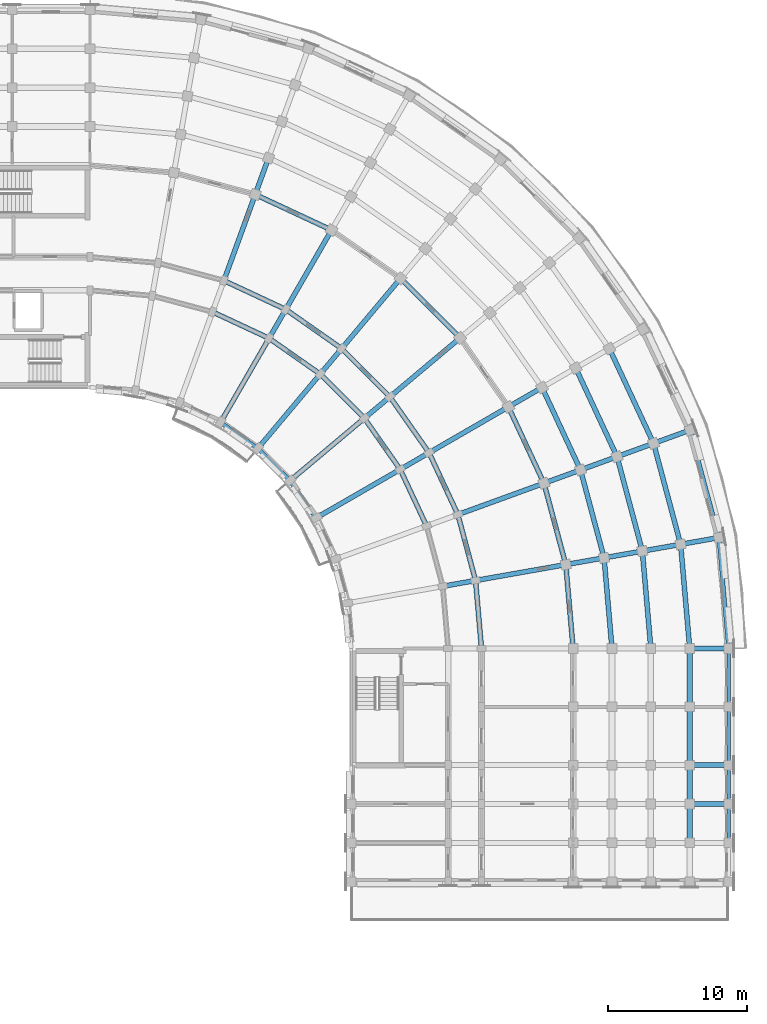
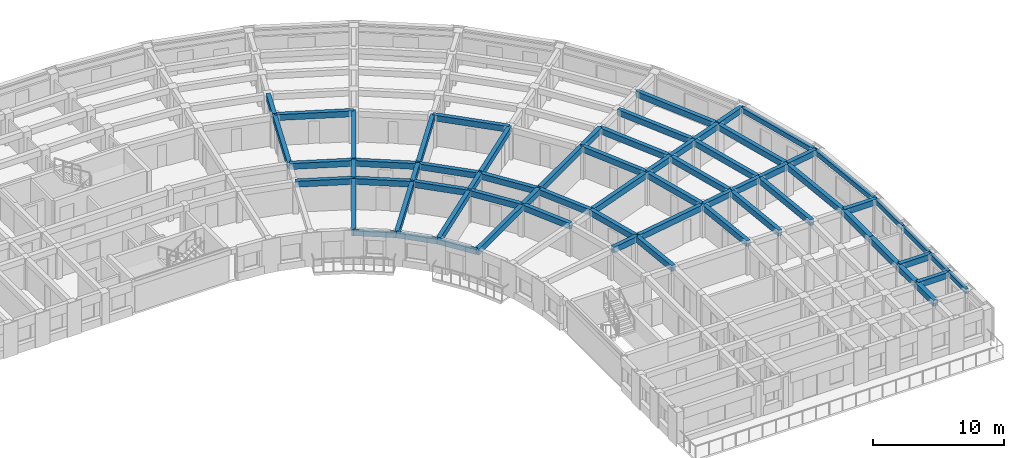
# One storey, part 12 of 54: 68 beams.
"""IFC4 building model written with IfcOpenShell, lengths in metres."""

from ifc_helpers import new_model, si_unit, direction, frame, origin, origin_2d, place, context, subcontext, project, spatial, rectangle, extrude, material, material_profile, profile_set, type_object, element, save


model = new_model("IFC4")

# Units and contexts
model_context = context("Model", 3, precision=1e-05, world=origin(), true_north=direction((0.0, 1.0)))
body_context = subcontext(model_context, "Body", "Model", "MODEL_VIEW")
ifc_project = project(units=[si_unit("LENGTHUNIT", "METRE"), si_unit("AREAUNIT", "SQUARE_METRE"), si_unit("VOLUMEUNIT", "CUBIC_METRE"), si_unit("PLANEANGLEUNIT", "RADIAN"), si_unit("MASSUNIT", "GRAM", prefix="KILO")], contexts=[model_context])

# Site, building, storey
site_placement = place(None, origin())
site = spatial("IfcSite", under=ifc_project, at=site_placement, CompositionType="ELEMENT")
building_placement = place(site_placement, origin())
building = spatial("IfcBuilding", under=site, at=building_placement, Name="Kiranvali Square Residences", CompositionType="ELEMENT")
storey_placement = place(building_placement, frame((0.0, 0.0, 27.60009765625)))
storey = spatial("IfcBuildingStorey", under=building, at=storey_placement, Name="L08", CompositionType="ELEMENT", Elevation=27.60009765625)

# Beams
ifc_material_1 = material(Name="Concrete M40 (40 MPa)", Category="concrete")
ifc_material_profile_1 = material_profile(ifc_material_1, rectangle(XDim=0.35009765625, YDim=0.550048828125, at=origin_2d()), Name="RC 350x550")
ifc_profile_set_1 = profile_set([ifc_material_profile_1], Name="Concrete M40 (40 MPa)")
beam_type_1 = type_object("IfcBeamType", Name="BM-M40-350x550", PredefinedType="BEAM", material=ifc_profile_set_1)
beam_1_placement = place(storey_placement, frame((128.6240234375, 112.044189453125, 2.65478515625), z_axis=(0.906307919131, -0.422617978463, 0.0), x_axis=(0.422617978463, 0.906307919131, 0.0)))
element("IfcBeam", 1, at=beam_1_placement, inside=storey, type_object=beam_type_1, Name="L08 beam BM-B-L08-C02-R1", PredefinedType="BEAM", context=body_context, shape_type="SweptSolid", body=[
    extrude(rectangle(XDim=0.35009765625, YDim=0.550048828125, at=origin_2d()), origin(), (0.0, 0.0, 1.0), 4.497314453125),
])
beam_2_placement = place(storey_placement, frame((129.445068359375, 114.29931640625, 2.65478515625), z_axis=(0.906302381024, -0.422629854778, 0.0), x_axis=(0.422629854778, 0.906302381024, 0.0)))
element("IfcBeam", 2, at=beam_2_placement, inside=storey, type_object=beam_type_1, Name="L08 beam BM-B-L08-C02-R2", PredefinedType="BEAM", context=body_context, shape_type="SweptSolid", body=[
    extrude(rectangle(XDim=0.35009765625, YDim=0.550048828125, at=origin_2d()), origin(), (0.0, 0.0, 1.0), 4.915283203125),
])
beam_3_placement = place(storey_placement, frame((131.702392578125, 120.501220703125, 2.65478515625), z_axis=(0.906312656069, -0.42260781991, 0.0), x_axis=(0.42260781991, 0.906312656069, 0.0)))
element("IfcBeam", 3, at=beam_3_placement, inside=storey, type_object=beam_type_1, Name="L08 beam BM-B-L08-C02-R3", PredefinedType="BEAM", context=body_context, shape_type="SweptSolid", body=[
    extrude(rectangle(XDim=0.35009765625, YDim=0.550048828125, at=origin_2d()), origin(), (0.0, 0.0, 1.0), 6.06591796875),
])
beam_4_placement = place(storey_placement, frame((132.699951171875, 110.1435546875, 2.65478515625), z_axis=(0.819155404658, -0.573571637217, 0.0), x_axis=(0.573571637217, 0.819155404658, 0.0)))
element("IfcBeam", 4, at=beam_4_placement, inside=storey, type_object=beam_type_1, Name="L08 beam BM-B-L08-C03-R1", PredefinedType="BEAM", context=body_context, shape_type="SweptSolid", body=[
    extrude(rectangle(XDim=0.35009765625, YDim=0.550048828125, at=origin_2d()), origin(), (0.0, 0.0, 1.0), 4.497314453125),
])
beam_5_placement = place(storey_placement, frame((133.89990234375, 112.221923828125, 2.65478515625), z_axis=(0.819140911474, -0.573592335331, 0.0), x_axis=(0.573592335331, 0.819140911474, 0.0)))
element("IfcBeam", 5, at=beam_5_placement, inside=storey, type_object=beam_type_1, Name="L08 beam BM-B-L08-C03-R2", PredefinedType="BEAM", context=body_context, shape_type="SweptSolid", body=[
    extrude(rectangle(XDim=0.35009765625, YDim=0.550048828125, at=origin_2d()), origin(), (0.0, 0.0, 1.0), 4.915771484375),
])
beam_6_placement = place(storey_placement, frame((136.384033203125, 107.56396484375, 2.65478515625), z_axis=(0.707106781187, -0.707106781187, 0.0), x_axis=(0.707106781187, 0.707106781187, 0.0)))
element("IfcBeam", 6, at=beam_6_placement, inside=storey, type_object=beam_type_1, Name="L08 beam BM-B-L08-C04-R1", PredefinedType="BEAM", context=body_context, shape_type="SweptSolid", body=[
    extrude(rectangle(XDim=0.35009765625, YDim=0.550048828125, at=origin_2d()), origin(), (0.0, 0.0, 1.0), 4.4970703125),
])
beam_7_placement = place(storey_placement, frame((137.926513671875, 109.40234375, 2.65478515625), z_axis=(0.707106781187, -0.707106781187, 0.0), x_axis=(0.707106781187, 0.707106781187, 0.0)))
element("IfcBeam", 7, at=beam_7_placement, inside=storey, type_object=beam_type_1, Name="L08 beam BM-B-L08-C04-R2", PredefinedType="BEAM", context=body_context, shape_type="SweptSolid", body=[
    extrude(rectangle(XDim=0.35009765625, YDim=0.550048828125, at=origin_2d()), origin(), (0.0, 0.0, 1.0), 4.91552734375),
])
beam_8_placement = place(storey_placement, frame((142.1689453125, 114.458251953125, 2.65478515625), z_axis=(0.707106781187, -0.707106781187, 0.0), x_axis=(0.707106781187, 0.707106781187, 0.0)))
element("IfcBeam", 8, at=beam_8_placement, inside=storey, type_object=beam_type_1, Name="L08 beam BM-B-L08-C04-R3", PredefinedType="BEAM", context=body_context, shape_type="SweptSolid", body=[
    extrude(rectangle(XDim=0.35009765625, YDim=0.550048828125, at=origin_2d()), origin(), (0.0, 0.0, 1.0), 6.06591796875),
])
beam_9_placement = place(storey_placement, frame((139.56396484375, 104.384033203125, 2.65478515625), z_axis=(0.573571637217, -0.819155404658, 0.0), x_axis=(0.819155404658, 0.573571637217, 0.0)))
element("IfcBeam", 9, at=beam_9_placement, inside=storey, type_object=beam_type_1, Name="L08 beam BM-B-L08-C05-R1", PredefinedType="BEAM", context=body_context, shape_type="SweptSolid", body=[
    extrude(rectangle(XDim=0.35009765625, YDim=0.550048828125, at=origin_2d()), origin(), (0.0, 0.0, 1.0), 4.497314453125),
])
beam_10_placement = place(storey_placement, frame((141.40234375, 105.926513671875, 2.65478515625), z_axis=(0.573592335331, -0.819140911474, 0.0), x_axis=(0.819140911474, 0.573592335331, 0.0)))
element("IfcBeam", 10, at=beam_10_placement, inside=storey, type_object=beam_type_1, Name="L08 beam BM-B-L08-C05-R2", PredefinedType="BEAM", context=body_context, shape_type="SweptSolid", body=[
    extrude(rectangle(XDim=0.35009765625, YDim=0.550048828125, at=origin_2d()), origin(), (0.0, 0.0, 1.0), 4.915771484375),
])
beam_11_placement = place(storey_placement, frame((142.1435546875, 100.699951171875, 2.65478515625), z_axis=(0.422617978463, -0.906307919131, 0.0), x_axis=(0.906307919131, 0.422617978463, 0.0)))
element("IfcBeam", 11, at=beam_11_placement, inside=storey, type_object=beam_type_1, Name="L08 beam BM-B-L08-C06-R1", PredefinedType="BEAM", context=body_context, shape_type="SweptSolid", body=[
    extrude(rectangle(XDim=0.35009765625, YDim=0.550048828125, at=origin_2d()), origin(), (0.0, 0.0, 1.0), 4.497314453125),
])
beam_12_placement = place(storey_placement, frame((144.221923828125, 101.89990234375, 2.65478515625), z_axis=(0.422629854778, -0.906302381024, 0.0), x_axis=(0.906302381024, 0.422629854778, 0.0)))
element("IfcBeam", 12, at=beam_12_placement, inside=storey, type_object=beam_type_1, Name="L08 beam BM-B-L08-C06-R2", PredefinedType="BEAM", context=body_context, shape_type="SweptSolid", body=[
    extrude(rectangle(XDim=0.35009765625, YDim=0.550048828125, at=origin_2d()), origin(), (0.0, 0.0, 1.0), 4.915283203125),
])
beam_13_placement = place(storey_placement, frame((149.937744140625, 105.199951171875, 2.65478515625), z_axis=(0.42260781991, -0.906312656069, 0.0), x_axis=(0.906312656069, 0.42260781991, 0.0)))
element("IfcBeam", 13, at=beam_13_placement, inside=storey, type_object=beam_type_1, Name="L08 beam BM-B-L08-C06-R3", PredefinedType="BEAM", context=body_context, shape_type="SweptSolid", body=[
    extrude(rectangle(XDim=0.35009765625, YDim=0.550048828125, at=origin_2d()), origin(), (0.0, 0.0, 1.0), 6.06591796875),
])
beam_14_placement = place(storey_placement, frame((152.362548828125, 106.60009765625, 2.65478515625), z_axis=(0.422595876255, -0.906318225223, 0.0), x_axis=(0.906318225223, 0.422595876255, 0.0)))
element("IfcBeam", 14, at=beam_14_placement, inside=storey, type_object=beam_type_1, Name="L08 beam BM-B-L08-C06-R4", PredefinedType="BEAM", context=body_context, shape_type="SweptSolid", body=[
    extrude(rectangle(XDim=0.35009765625, YDim=0.550048828125, at=origin_2d()), origin(), (0.0, 0.0, 1.0), 6.55419921875),
])
beam_15_placement = place(storey_placement, frame((154.787353515625, 108.0, 2.65478515625), z_axis=(0.422640621205, -0.906297360311, 0.0), x_axis=(0.906297360311, 0.422640621205, 0.0)))
element("IfcBeam", 15, at=beam_15_placement, inside=storey, type_object=beam_type_1, Name="L08 beam BM-B-L08-C06-R5", PredefinedType="BEAM", context=body_context, shape_type="SweptSolid", body=[
    extrude(rectangle(XDim=0.35009765625, YDim=0.550048828125, at=origin_2d()), origin(), (0.0, 0.0, 1.0), 7.042236328125),
])
beam_16_placement = place(storey_placement, frame((157.21240234375, 109.39990234375, 2.65478515625), z_axis=(0.422613886933, -0.90630982703, 0.0), x_axis=(0.90630982703, 0.422613886933, 0.0)))
element("IfcBeam", 16, at=beam_16_placement, inside=storey, type_object=beam_type_1, Name="L08 beam BM-B-L08-C06-R6", PredefinedType="BEAM", context=body_context, shape_type="SweptSolid", body=[
    extrude(rectangle(XDim=0.35009765625, YDim=0.550048828125, at=origin_2d()), origin(), (0.0, 0.0, 1.0), 7.5302734375),
])
beam_17_placement = place(storey_placement, frame((146.29931640625, 97.445068359375, 2.65478515625), z_axis=(0.258803112091, -0.965930095386, 0.0), x_axis=(0.965930095386, 0.258803112091, 0.0)))
element("IfcBeam", 17, at=beam_17_placement, inside=storey, type_object=beam_type_1, Name="L08 beam BM-B-L08-C07-R2", PredefinedType="BEAM", context=body_context, shape_type="SweptSolid", body=[
    extrude(rectangle(XDim=0.35009765625, YDim=0.550048828125, at=origin_2d()), origin(), (0.0, 0.0, 1.0), 4.915771484375),
])
beam_18_placement = place(storey_placement, frame((152.501220703125, 99.702392578125, 2.65478515625), z_axis=(0.258827283048, -0.965923618901, 0.0), x_axis=(0.965923618901, 0.258827283048, 0.0)))
element("IfcBeam", 18, at=beam_18_placement, inside=storey, type_object=beam_type_1, Name="L08 beam BM-B-L08-C07-R3", PredefinedType="BEAM", context=body_context, shape_type="SweptSolid", body=[
    extrude(rectangle(XDim=0.35009765625, YDim=0.550048828125, at=origin_2d()), origin(), (0.0, 0.0, 1.0), 6.066162109375),
])
beam_19_placement = place(storey_placement, frame((155.13232421875, 100.659912109375, 2.65478515625), z_axis=(0.258847178297, -0.965918287583, 0.0), x_axis=(0.965918287583, 0.258847178297, 0.0)))
element("IfcBeam", 19, at=beam_19_placement, inside=storey, type_object=beam_type_1, Name="L08 beam BM-B-L08-C07-R4", PredefinedType="BEAM", context=body_context, shape_type="SweptSolid", body=[
    extrude(rectangle(XDim=0.35009765625, YDim=0.550048828125, at=origin_2d()), origin(), (0.0, 0.0, 1.0), 6.55419921875),
])
beam_20_placement = place(storey_placement, frame((157.763671875, 101.61767578125, 2.65478515625), z_axis=(0.258799624492, -0.965931029817, 0.0), x_axis=(0.965931029817, 0.258799624492, 0.0)))
element("IfcBeam", 20, at=beam_20_placement, inside=storey, type_object=beam_type_1, Name="L08 beam BM-B-L08-C07-R5", PredefinedType="BEAM", context=body_context, shape_type="SweptSolid", body=[
    extrude(rectangle(XDim=0.35009765625, YDim=0.550048828125, at=origin_2d()), origin(), (0.0, 0.0, 1.0), 7.042236328125),
])
beam_21_placement = place(storey_placement, frame((160.394775390625, 102.5751953125, 2.65478515625), z_axis=(0.258818733833, -0.965925909693, 0.0), x_axis=(0.965925909693, 0.258818733833, 0.0)))
element("IfcBeam", 21, at=beam_21_placement, inside=storey, type_object=beam_type_1, Name="L08 beam BM-B-L08-C07-R6", PredefinedType="BEAM", context=body_context, shape_type="SweptSolid", body=[
    extrude(rectangle(XDim=0.35009765625, YDim=0.550048828125, at=origin_2d()), origin(), (0.0, 0.0, 1.0), 7.5302734375),
])
beam_22_placement = place(storey_placement, frame((147.571533203125, 92.69677734375, 2.65478515625), z_axis=(0.087167566415, -0.996193663584, 0.0), x_axis=(0.996193663584, 0.087167566415, 0.0)))
element("IfcBeam", 22, at=beam_22_placement, inside=storey, type_object=beam_type_1, Name="L08 beam BM-B-L08-C08-R2", PredefinedType="BEAM", context=body_context, shape_type="SweptSolid", body=[
    extrude(rectangle(XDim=0.35009765625, YDim=0.550048828125, at=origin_2d()), origin(), (0.0, 0.0, 1.0), 4.91552734375),
])
beam_23_placement = place(storey_placement, frame((154.0712890625, 93.843017578125, 2.65478515625), z_axis=(0.087174938512, -0.996193018494, 0.0), x_axis=(0.996193018494, 0.087174938512, 0.0)))
element("IfcBeam", 23, at=beam_23_placement, inside=storey, type_object=beam_type_1, Name="L08 beam BM-B-L08-C08-R3", PredefinedType="BEAM", context=body_context, shape_type="SweptSolid", body=[
    extrude(rectangle(XDim=0.35009765625, YDim=0.550048828125, at=origin_2d()), origin(), (0.0, 0.0, 1.0), 6.066162109375),
])
beam_24_placement = place(storey_placement, frame((156.828857421875, 94.3291015625, 2.65478515625), z_axis=(0.0871295204, -0.996196991902, 0.0), x_axis=(0.996196991902, 0.0871295204, 0.0)))
element("IfcBeam", 24, at=beam_24_placement, inside=storey, type_object=beam_type_1, Name="L08 beam BM-B-L08-C08-R4", PredefinedType="BEAM", context=body_context, shape_type="SweptSolid", body=[
    extrude(rectangle(XDim=0.35009765625, YDim=0.550048828125, at=origin_2d()), origin(), (0.0, 0.0, 1.0), 6.553955078125),
])
beam_25_placement = place(storey_placement, frame((159.586181640625, 94.8154296875, 2.65478515625), z_axis=(0.087156198737, -0.996194658198, 0.0), x_axis=(0.996194658198, 0.087156198737, 0.0)))
element("IfcBeam", 25, at=beam_25_placement, inside=storey, type_object=beam_type_1, Name="L08 beam BM-B-L08-C08-R5", PredefinedType="BEAM", context=body_context, shape_type="SweptSolid", body=[
    extrude(rectangle(XDim=0.35009765625, YDim=0.550048828125, at=origin_2d()), origin(), (0.0, 0.0, 1.0), 7.042236328125),
])
beam_26_placement = place(storey_placement, frame((162.34375, 95.301513671875, 2.65478515625), z_axis=(0.087150058103, -0.996195195417, 0.0), x_axis=(0.996195195417, 0.087150058103, 0.0)))
element("IfcBeam", 26, at=beam_26_placement, inside=storey, type_object=beam_type_1, Name="L08 beam BM-B-L08-C08-R6", PredefinedType="BEAM", context=body_context, shape_type="SweptSolid", body=[
    extrude(rectangle(XDim=0.35009765625, YDim=0.550048828125, at=origin_2d()), origin(), (0.0, 0.0, 1.0), 7.530029296875),
])
beam_27_placement = place(storey_placement, frame((129.445068359375, 114.29931640625, 2.65478515625), z_axis=(0.342022238372, 0.939691858249, 0.0), x_axis=(-0.939691858249, 0.342022238372, 0.0)))
element("IfcBeam", 27, at=beam_27_placement, inside=storey, type_object=beam_type_1, Name="L08 beam BM-B-L08-RAD02-23", PredefinedType="BEAM", context=body_context, shape_type="SweptSolid", body=[
    extrude(rectangle(XDim=0.35009765625, YDim=0.550048828125, at=origin_2d()), origin(), (0.0, 0.0, 1.0), 6.599853515625),
])
beam_28_placement = place(storey_placement, frame((131.702392578125, 120.501220703125, 2.65478515625), z_axis=(0.341981089711, 0.93970683422, 0.0), x_axis=(-0.93970683422, 0.341981089711, 0.0)))
element("IfcBeam", 28, at=beam_28_placement, inside=storey, type_object=beam_type_1, Name="L08 beam BM-B-L08-RAD02-34", PredefinedType="BEAM", context=body_context, shape_type="SweptSolid", body=[
    extrude(rectangle(XDim=0.35009765625, YDim=0.550048828125, at=origin_2d()), origin(), (0.0, 0.0, 1.0), 2.7998046875),
])
beam_29_placement = place(storey_placement, frame((129.199951171875, 104.081298828125, 2.65478515625), z_axis=(0.499995173006, 0.866028190633, 0.0), x_axis=(-0.866028190633, 0.499995173006, 0.0)))
element("IfcBeam", 29, at=beam_29_placement, inside=storey, type_object=beam_type_1, Name="L08 beam BM-B-L08-RAD03-01", PredefinedType="BEAM", context=body_context, shape_type="SweptSolid", body=[
    extrude(rectangle(XDim=0.35009765625, YDim=0.550048828125, at=origin_2d()), origin(), (0.0, 0.0, 1.0), 7.0),
])
beam_30_placement = place(storey_placement, frame((132.699951171875, 110.1435546875, 2.65478515625), z_axis=(0.500001309137, 0.866024647952, 0.0), x_axis=(-0.866024647952, 0.500001309137, 0.0)))
element("IfcBeam", 30, at=beam_30_placement, inside=storey, type_object=beam_type_1, Name="L08 beam BM-B-L08-RAD03-12", PredefinedType="BEAM", context=body_context, shape_type="SweptSolid", body=[
    extrude(rectangle(XDim=0.35009765625, YDim=0.550048828125, at=origin_2d()), origin(), (0.0, 0.0, 1.0), 2.39990234375),
])
beam_31_placement = place(storey_placement, frame((133.89990234375, 112.221923828125, 2.65478515625), z_axis=(0.500002094529, 0.866024194504, 0.0), x_axis=(-0.866024194504, 0.500002094529, 0.0)))
element("IfcBeam", 31, at=beam_31_placement, inside=storey, type_object=beam_type_1, Name="L08 beam BM-B-L08-RAD03-23", PredefinedType="BEAM", context=body_context, shape_type="SweptSolid", body=[
    extrude(rectangle(XDim=0.35009765625, YDim=0.550048828125, at=origin_2d()), origin(), (0.0, 0.0, 1.0), 6.60009765625),
])
beam_32_placement = place(storey_placement, frame((131.884521484375, 102.20166015625, 2.65478515625), z_axis=(0.642787931032, 0.766044173478, 0.0), x_axis=(-0.766044173478, 0.642787931032, 0.0)))
element("IfcBeam", 32, at=beam_32_placement, inside=storey, type_object=beam_type_1, Name="L08 beam BM-B-L08-RAD04-01", PredefinedType="BEAM", context=body_context, shape_type="SweptSolid", body=[
    extrude(rectangle(XDim=0.35009765625, YDim=0.550048828125, at=origin_2d()), origin(), (0.0, 0.0, 1.0), 7.0),
])
beam_33_placement = place(storey_placement, frame((136.384033203125, 107.56396484375, 2.65478515625), z_axis=(0.642762521781, 0.766065493671, 0.0), x_axis=(-0.766065493671, 0.642762521781, 0.0)))
element("IfcBeam", 33, at=beam_33_placement, inside=storey, type_object=beam_type_1, Name="L08 beam BM-B-L08-RAD04-12", PredefinedType="BEAM", context=body_context, shape_type="SweptSolid", body=[
    extrude(rectangle(XDim=0.35009765625, YDim=0.550048828125, at=origin_2d()), origin(), (0.0, 0.0, 1.0), 2.399658203125),
])
beam_34_placement = place(storey_placement, frame((137.926513671875, 109.40234375, 2.65478515625), z_axis=(0.642789470807, 0.766042881449, 0.0), x_axis=(-0.766042881449, 0.642789470807, 0.0)))
element("IfcBeam", 34, at=beam_34_placement, inside=storey, type_object=beam_type_1, Name="L08 beam BM-B-L08-RAD04-23", PredefinedType="BEAM", context=body_context, shape_type="SweptSolid", body=[
    extrude(rectangle(XDim=0.35009765625, YDim=0.550048828125, at=origin_2d()), origin(), (0.0, 0.0, 1.0), 6.60009765625),
])
beam_35_placement = place(storey_placement, frame((134.20166015625, 99.884521484375, 2.65478515625), z_axis=(0.766044173478, 0.642787931032, 0.0), x_axis=(-0.642787931032, 0.766044173478, 0.0)))
element("IfcBeam", 35, at=beam_35_placement, inside=storey, type_object=beam_type_1, Name="L08 beam BM-B-L08-RAD05-01", PredefinedType="BEAM", context=body_context, shape_type="SweptSolid", body=[
    extrude(rectangle(XDim=0.35009765625, YDim=0.550048828125, at=origin_2d()), origin(), (0.0, 0.0, 1.0), 7.0),
])
beam_36_placement = place(storey_placement, frame((139.56396484375, 104.384033203125, 2.65478515625), z_axis=(0.766065493671, 0.642762521781, 0.0), x_axis=(-0.642762521781, 0.766065493671, 0.0)))
element("IfcBeam", 36, at=beam_36_placement, inside=storey, type_object=beam_type_1, Name="L08 beam BM-B-L08-RAD05-12", PredefinedType="BEAM", context=body_context, shape_type="SweptSolid", body=[
    extrude(rectangle(XDim=0.35009765625, YDim=0.550048828125, at=origin_2d()), origin(), (0.0, 0.0, 1.0), 2.399658203125),
])
beam_37_placement = place(storey_placement, frame((141.40234375, 105.926513671875, 2.65478515625), z_axis=(0.766042881449, 0.642789470807, 0.0), x_axis=(-0.642789470807, 0.766042881449, 0.0)))
element("IfcBeam", 37, at=beam_37_placement, inside=storey, type_object=beam_type_1, Name="L08 beam BM-B-L08-RAD05-23", PredefinedType="BEAM", context=body_context, shape_type="SweptSolid", body=[
    extrude(rectangle(XDim=0.35009765625, YDim=0.550048828125, at=origin_2d()), origin(), (0.0, 0.0, 1.0), 6.60009765625),
])
beam_38_placement = place(storey_placement, frame((136.081298828125, 97.199951171875, 2.65478515625), z_axis=(0.866028190633, 0.499995173006, 0.0), x_axis=(-0.499995173006, 0.866028190633, 0.0)))
element("IfcBeam", 38, at=beam_38_placement, inside=storey, type_object=beam_type_1, Name="L08 beam BM-B-L08-RAD06-01", PredefinedType="BEAM", context=body_context, shape_type="SweptSolid", body=[
    extrude(rectangle(XDim=0.35009765625, YDim=0.550048828125, at=origin_2d()), origin(), (0.0, 0.0, 1.0), 7.0),
])
beam_39_placement = place(storey_placement, frame((142.1435546875, 100.699951171875, 2.65478515625), z_axis=(0.866024647952, 0.500001309137, 0.0), x_axis=(-0.500001309137, 0.866024647952, 0.0)))
element("IfcBeam", 39, at=beam_39_placement, inside=storey, type_object=beam_type_1, Name="L08 beam BM-B-L08-RAD06-12", PredefinedType="BEAM", context=body_context, shape_type="SweptSolid", body=[
    extrude(rectangle(XDim=0.35009765625, YDim=0.550048828125, at=origin_2d()), origin(), (0.0, 0.0, 1.0), 2.39990234375),
])
beam_40_placement = place(storey_placement, frame((144.221923828125, 101.89990234375, 2.65478515625), z_axis=(0.866024194504, 0.500002094529, 0.0), x_axis=(-0.500002094529, 0.866024194504, 0.0)))
element("IfcBeam", 40, at=beam_40_placement, inside=storey, type_object=beam_type_1, Name="L08 beam BM-B-L08-RAD06-23", PredefinedType="BEAM", context=body_context, shape_type="SweptSolid", body=[
    extrude(rectangle(XDim=0.35009765625, YDim=0.550048828125, at=origin_2d()), origin(), (0.0, 0.0, 1.0), 6.60009765625),
])
beam_41_placement = place(storey_placement, frame((149.937744140625, 105.199951171875, 2.65478515625), z_axis=(0.865996816683, 0.500049511043, 0.0), x_axis=(-0.500049511043, 0.865996816683, 0.0)))
element("IfcBeam", 41, at=beam_41_placement, inside=storey, type_object=beam_type_1, Name="L08 beam BM-B-L08-RAD06-34", PredefinedType="BEAM", context=body_context, shape_type="SweptSolid", body=[
    extrude(rectangle(XDim=0.35009765625, YDim=0.550048828125, at=origin_2d()), origin(), (0.0, 0.0, 1.0), 2.800048828125),
])
beam_42_placement = place(storey_placement, frame((146.29931640625, 97.445068359375, 2.65478515625), z_axis=(0.939691858249, 0.342022238372, 0.0), x_axis=(-0.342022238372, 0.939691858249, 0.0)))
element("IfcBeam", 42, at=beam_42_placement, inside=storey, type_object=beam_type_1, Name="L08 beam BM-B-L08-RAD07-23", PredefinedType="BEAM", context=body_context, shape_type="SweptSolid", body=[
    extrude(rectangle(XDim=0.35009765625, YDim=0.550048828125, at=origin_2d()), origin(), (0.0, 0.0, 1.0), 6.599853515625),
])
beam_43_placement = place(storey_placement, frame((152.501220703125, 99.702392578125, 2.65478515625), z_axis=(0.93970683422, 0.341981089711, 0.0), x_axis=(-0.341981089711, 0.93970683422, 0.0)))
element("IfcBeam", 43, at=beam_43_placement, inside=storey, type_object=beam_type_1, Name="L08 beam BM-B-L08-RAD07-34", PredefinedType="BEAM", context=body_context, shape_type="SweptSolid", body=[
    extrude(rectangle(XDim=0.35009765625, YDim=0.550048828125, at=origin_2d()), origin(), (0.0, 0.0, 1.0), 2.7998046875),
])
beam_44_placement = place(storey_placement, frame((155.13232421875, 100.659912109375, 2.65478515625), z_axis=(0.939689011208, 0.342030060398, 0.0), x_axis=(-0.342030060398, 0.939689011208, 0.0)))
element("IfcBeam", 44, at=beam_44_placement, inside=storey, type_object=beam_type_1, Name="L08 beam BM-B-L08-RAD07-45", PredefinedType="BEAM", context=body_context, shape_type="SweptSolid", body=[
    extrude(rectangle(XDim=0.35009765625, YDim=0.550048828125, at=origin_2d()), origin(), (0.0, 0.0, 1.0), 2.80029296875),
])
beam_45_placement = place(storey_placement, frame((157.763671875, 101.61767578125, 2.65478515625), z_axis=(0.93970683422, 0.341981089711, 0.0), x_axis=(-0.341981089711, 0.93970683422, 0.0)))
element("IfcBeam", 45, at=beam_45_placement, inside=storey, type_object=beam_type_1, Name="L08 beam BM-B-L08-RAD07-56", PredefinedType="BEAM", context=body_context, shape_type="SweptSolid", body=[
    extrude(rectangle(XDim=0.35009765625, YDim=0.550048828125, at=origin_2d()), origin(), (0.0, 0.0, 1.0), 2.7998046875),
])
beam_46_placement = place(storey_placement, frame((160.394775390625, 102.5751953125, 2.69482421875), z_axis=(0.939678810556, 0.342058084236, 0.0), x_axis=(-0.342058084236, 0.939678810556, 0.0)))
element("IfcBeam", 46, at=beam_46_placement, inside=storey, type_object=beam_type_1, Name="L08 beam BM-B-L08-RAD07-67", PredefinedType="BEAM", context=body_context, shape_type="SweptSolid", body=[
    extrude(rectangle(XDim=0.35009765625, YDim=0.550048828125, at=origin_2d()), origin(), (0.0, 0.0, 1.0), 2.800048828125),
])
beam_47_placement = place(storey_placement, frame((145.2080078125, 92.280029296875, 2.65478515625), z_axis=(0.984808127031, 0.173646056486, 0.0), x_axis=(-0.173646056486, 0.984808127031, 0.0)))
element("IfcBeam", 47, at=beam_47_placement, inside=storey, type_object=beam_type_1, Name="L08 beam BM-B-L08-RAD08-12", PredefinedType="BEAM", context=body_context, shape_type="SweptSolid", body=[
    extrude(rectangle(XDim=0.35009765625, YDim=0.550048828125, at=origin_2d()), origin(), (0.0, 0.0, 1.0), 2.39990234375),
])
beam_48_placement = place(storey_placement, frame((147.571533203125, 92.69677734375, 2.65478515625), z_axis=(0.984803661269, 0.173671381499, 0.0), x_axis=(-0.173671381499, 0.984803661269, 0.0)))
element("IfcBeam", 48, at=beam_48_placement, inside=storey, type_object=beam_type_1, Name="L08 beam BM-B-L08-RAD08-23", PredefinedType="BEAM", context=body_context, shape_type="SweptSolid", body=[
    extrude(rectangle(XDim=0.35009765625, YDim=0.550048828125, at=origin_2d()), origin(), (0.0, 0.0, 1.0), 6.60009765625),
])
beam_49_placement = place(storey_placement, frame((154.0712890625, 93.843017578125, 2.65478515625), z_axis=(0.984816895441, 0.173596320392, 0.0), x_axis=(-0.173596320392, 0.984816895441, 0.0)))
element("IfcBeam", 49, at=beam_49_placement, inside=storey, type_object=beam_type_1, Name="L08 beam BM-B-L08-RAD08-34", PredefinedType="BEAM", context=body_context, shape_type="SweptSolid", body=[
    extrude(rectangle(XDim=0.35009765625, YDim=0.550048828125, at=origin_2d()), origin(), (0.0, 0.0, 1.0), 2.800048828125),
])
beam_50_placement = place(storey_placement, frame((156.828857421875, 94.3291015625, 2.65478515625), z_axis=(0.984799355489, 0.173695795656, 0.0), x_axis=(-0.173695795656, 0.984799355489, 0.0)))
element("IfcBeam", 50, at=beam_50_placement, inside=storey, type_object=beam_type_1, Name="L08 beam BM-B-L08-RAD08-45", PredefinedType="BEAM", context=body_context, shape_type="SweptSolid", body=[
    extrude(rectangle(XDim=0.35009765625, YDim=0.550048828125, at=origin_2d()), origin(), (0.0, 0.0, 1.0), 2.7998046875),
])
beam_51_placement = place(storey_placement, frame((159.586181640625, 94.8154296875, 2.65478515625), z_axis=(0.984816895441, 0.173596320392, 0.0), x_axis=(-0.173596320392, 0.984816895441, 0.0)))
element("IfcBeam", 51, at=beam_51_placement, inside=storey, type_object=beam_type_1, Name="L08 beam BM-B-L08-RAD08-56", PredefinedType="BEAM", context=body_context, shape_type="SweptSolid", body=[
    extrude(rectangle(XDim=0.35009765625, YDim=0.550048828125, at=origin_2d()), origin(), (0.0, 0.0, 1.0), 2.800048828125),
])
beam_52_placement = place(storey_placement, frame((162.34375, 95.301513671875, 2.69482421875), z_axis=(0.984799355489, 0.173695795656, 0.0), x_axis=(-0.173695795656, 0.984799355489, 0.0)))
element("IfcBeam", 52, at=beam_52_placement, inside=storey, type_object=beam_type_1, Name="L08 beam BM-B-L08-RAD08-67", PredefinedType="BEAM", context=body_context, shape_type="SweptSolid", body=[
    extrude(rectangle(XDim=0.35009765625, YDim=0.550048828125, at=origin_2d()), origin(), (0.0, 0.0, 1.0), 2.7998046875),
])
for number, where, z_axis, x_axis, name in (
    (53, (163.0, 87.800048828125, 2.69482421875), (1.0, 0.0, 0.0), (0.0, 1.0, 0.0), "L08 beam BM-B-L08-A2T0-67"),
    (54, (163.0, 79.39990234375, 2.69482421875), (1.0, 0.0, 0.0), (0.0, 1.0, 0.0), "L08 beam BM-B-L08-A2T1-67"),
    (55, (163.0, 76.60009765625, 2.69482421875), (1.0, 0.0, 0.0), (0.0, 1.0, 0.0), "L08 beam BM-B-L08-A2T2-67"),
):
    element("IfcBeam", number, at=place(storey_placement, frame(where, z_axis=z_axis, x_axis=x_axis)), inside=storey, type_object=beam_type_1, Name=name, PredefinedType="BEAM", context=body_context, shape_type="SweptSolid", body=[
        extrude(rectangle(XDim=0.35009765625, YDim=0.550048828125, at=origin_2d()), origin(), (0.0, 0.0, 1.0), 2.800048828125),
    ])
ifc_material_2 = material(Name="Concrete M45 (45 MPa)", Category="concrete")
ifc_material_profile_2 = material_profile(ifc_material_2, rectangle(XDim=0.39990234375, YDim=0.550048828125, at=origin_2d()), Name="RC 400x550")
ifc_profile_set_2 = profile_set([ifc_material_profile_2], Name="Concrete M45 (45 MPa)")
beam_type_2 = type_object("IfcBeamType", Name="BM-M45-400x550", PredefinedType="BEAM", material=ifc_profile_set_2)
beam_53_placement = place(storey_placement, frame((163.0, 87.800048828125, 2.65478515625), z_axis=(0.0, -1.0, 0.0), x_axis=(1.0, 0.0, 0.0)))
element("IfcBeam", 56, at=beam_53_placement, inside=storey, type_object=beam_type_2, Name="L08 beam BM-B-L08-A2V0-R6", PredefinedType="BEAM", context=body_context, shape_type="SweptSolid", body=[
    extrude(rectangle(XDim=0.39990234375, YDim=0.550048828125, at=origin_2d()), origin(), (0.0, 0.0, 1.0), 4.199951171875),
])
beam_54_placement = place(storey_placement, frame((163.0, 83.60009765625, 2.65478515625), z_axis=(0.0, -1.0, 0.0), x_axis=(1.0, 0.0, 0.0)))
element("IfcBeam", 57, at=beam_54_placement, inside=storey, type_object=beam_type_2, Name="L08 beam BM-B-L08-A2V1-R6", PredefinedType="BEAM", context=body_context, shape_type="SweptSolid", body=[
    extrude(rectangle(XDim=0.39990234375, YDim=0.550048828125, at=origin_2d()), origin(), (0.0, 0.0, 1.0), 4.2001953125),
])
beam_55_placement = place(storey_placement, frame((163.0, 79.39990234375, 2.65478515625), z_axis=(0.0, -1.0, 0.0), x_axis=(1.0, 0.0, 0.0)))
element("IfcBeam", 58, at=beam_55_placement, inside=storey, type_object=beam_type_2, Name="L08 beam BM-B-L08-A2V2-R6", PredefinedType="BEAM", context=body_context, shape_type="SweptSolid", body=[
    extrude(rectangle(XDim=0.39990234375, YDim=0.550048828125, at=origin_2d()), origin(), (0.0, 0.0, 1.0), 2.7998046875),
])
beam_56_placement = place(storey_placement, frame((163.0, 76.60009765625, 2.65478515625), z_axis=(0.0, -1.0, 0.0), x_axis=(1.0, 0.0, 0.0)))
element("IfcBeam", 59, at=beam_56_placement, inside=storey, type_object=beam_type_2, Name="L08 beam BM-B-L08-A2V3-R6", PredefinedType="BEAM", context=body_context, shape_type="SweptSolid", body=[
    extrude(rectangle(XDim=0.39990234375, YDim=0.550048828125, at=origin_2d()), origin(), (0.0, 0.0, 1.0), 2.800048828125),
])
ifc_material_profile_3 = material_profile(ifc_material_1, rectangle(XDim=0.25, YDim=0.449951171875, at=origin_2d()), Name="RC 250x450")
ifc_profile_set_3 = profile_set([ifc_material_profile_3], Name="Concrete M40 (40 MPa)")
beam_type_3 = type_object("IfcBeamType", Name="SPN-M40-250x450", PredefinedType="SPANDREL", material=ifc_profile_set_3)
beam_57_placement = place(storey_placement, frame((165.800048828125, 87.800048828125, 2.744873046875), z_axis=(0.0, -1.0, 0.0), x_axis=(1.0, 0.0, 0.0)))
element("IfcBeam", 60, at=beam_57_placement, inside=storey, type_object=beam_type_3, Name="L08 beam BM-B-L08-A2V0-R7", PredefinedType="SPANDREL", context=body_context, shape_type="SweptSolid", body=[
    extrude(rectangle(XDim=0.25, YDim=0.449951171875, at=origin_2d()), origin(), (0.0, 0.0, 1.0), 4.199951171875),
])
beam_58_placement = place(storey_placement, frame((165.800048828125, 83.60009765625, 2.744873046875), z_axis=(0.0, -1.0, 0.0), x_axis=(1.0, 0.0, 0.0)))
element("IfcBeam", 61, at=beam_58_placement, inside=storey, type_object=beam_type_3, Name="L08 beam BM-B-L08-A2V1-R7", PredefinedType="SPANDREL", context=body_context, shape_type="SweptSolid", body=[
    extrude(rectangle(XDim=0.25, YDim=0.449951171875, at=origin_2d()), origin(), (0.0, 0.0, 1.0), 4.2001953125),
])
beam_59_placement = place(storey_placement, frame((165.800048828125, 79.39990234375, 2.744873046875), z_axis=(0.0, -1.0, 0.0), x_axis=(1.0, 0.0, 0.0)))
element("IfcBeam", 62, at=beam_59_placement, inside=storey, type_object=beam_type_3, Name="L08 beam BM-B-L08-A2V2-R7", PredefinedType="SPANDREL", context=body_context, shape_type="SweptSolid", body=[
    extrude(rectangle(XDim=0.25, YDim=0.449951171875, at=origin_2d()), origin(), (0.0, 0.0, 1.0), 2.7998046875),
])
beam_60_placement = place(storey_placement, frame((165.800048828125, 76.60009765625, 2.744873046875), z_axis=(0.0, -1.0, 0.0), x_axis=(1.0, 0.0, 0.0)))
element("IfcBeam", 63, at=beam_60_placement, inside=storey, type_object=beam_type_3, Name="L08 beam BM-B-L08-A2V3-R7", PredefinedType="SPANDREL", context=body_context, shape_type="SweptSolid", body=[
    extrude(rectangle(XDim=0.25, YDim=0.449951171875, at=origin_2d()), origin(), (0.0, 0.0, 1.0), 2.800048828125),
])
ifc_material_profile_4 = material_profile(ifc_material_1, rectangle(XDim=0.300048828125, YDim=0.449951171875, at=origin_2d()), Name="RC 300x450")
ifc_profile_set_4 = profile_set([ifc_material_profile_4], Name="Concrete M40 (40 MPa)")
beam_type_4 = type_object("IfcBeamType", Name="SPN-M40-300x450", PredefinedType="SPANDREL", material=ifc_profile_set_4)
beam_61_placement = place(storey_placement, frame((129.199951171875, 104.081298828125, 2.704833984375), z_axis=(0.81916891812, -0.573552337269, 0.0), x_axis=(0.573552337269, 0.81916891812, 0.0)))
element("IfcBeam", 64, at=beam_61_placement, inside=storey, type_object=beam_type_4, Name="L08 beam BM-B-L08-C03-R0", PredefinedType="SPANDREL", context=body_context, shape_type="SweptSolid", body=[
    extrude(rectangle(XDim=0.300048828125, YDim=0.449951171875, at=origin_2d()), origin(), (0.0, 0.0, 1.0), 3.277099609375),
])
beam_62_placement = place(storey_placement, frame((131.884521484375, 102.20166015625, 2.704833984375), z_axis=(0.707106781187, -0.707106781187, 0.0), x_axis=(0.707106781187, 0.707106781187, 0.0)))
element("IfcBeam", 65, at=beam_62_placement, inside=storey, type_object=beam_type_4, Name="L08 beam BM-B-L08-C04-R0", PredefinedType="SPANDREL", context=body_context, shape_type="SweptSolid", body=[
    extrude(rectangle(XDim=0.300048828125, YDim=0.449951171875, at=origin_2d()), origin(), (0.0, 0.0, 1.0), 3.27685546875),
])
beam_63_placement = place(storey_placement, frame((134.20166015625, 99.884521484375, 2.704833984375), z_axis=(0.573552337269, -0.81916891812, 0.0), x_axis=(0.81916891812, 0.573552337269, 0.0)))
element("IfcBeam", 66, at=beam_63_placement, inside=storey, type_object=beam_type_4, Name="L08 beam BM-B-L08-C05-R0", PredefinedType="SPANDREL", context=body_context, shape_type="SweptSolid", body=[
    extrude(rectangle(XDim=0.300048828125, YDim=0.449951171875, at=origin_2d()), origin(), (0.0, 0.0, 1.0), 3.277099609375),
])
for number, where, z_axis, x_axis, name in (
    (67, (163.02587890625, 103.532958984375, 2.744873046875), (0.258807108475, -0.96592902462, 0.0), (0.96592902462, 0.258807108475, 0.0), "L08 beam BM-B-L08-C07-R7"),
    (68, (165.10107421875, 95.787841796875, 2.744873046875), (0.087172238171, -0.996193254792, 0.0), (0.996193254792, 0.087172238171, 0.0), "L08 beam BM-B-L08-C08-R7"),
):
    element("IfcBeam", number, at=place(storey_placement, frame(where, z_axis=z_axis, x_axis=x_axis)), inside=storey, type_object=beam_type_4, Name=name, PredefinedType="SPANDREL", context=body_context, shape_type="SweptSolid", body=[
        extrude(rectangle(XDim=0.300048828125, YDim=0.449951171875, at=origin_2d()), origin(), (0.0, 0.0, 1.0), 8.018310546875),
    ])

save(model, "model.ifc")
